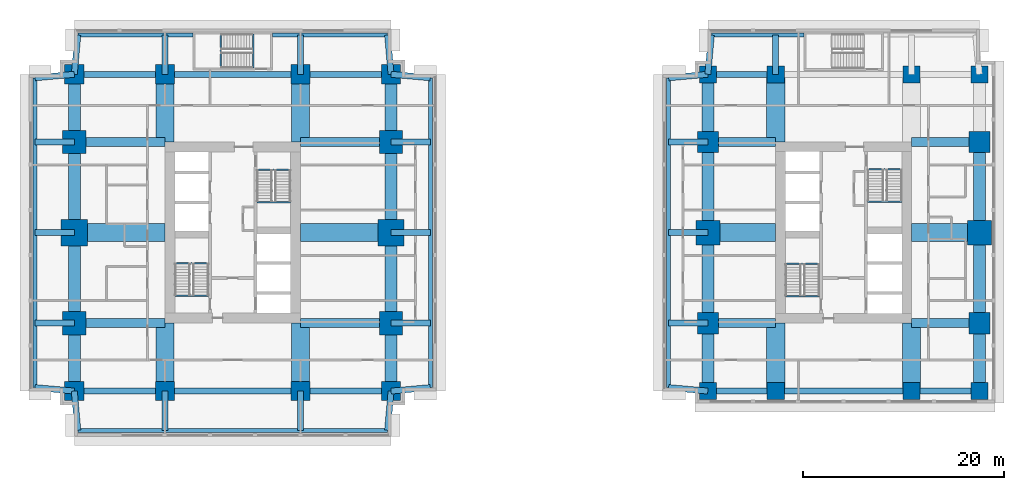
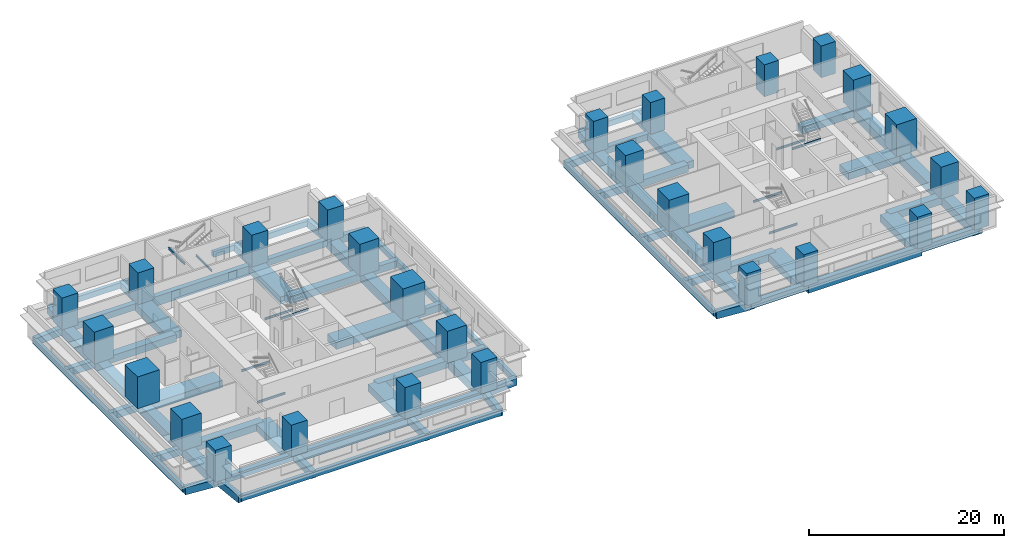
# One storey, part 1 of 11: 86 beams, 28 columns.
"""IFC4 building model written with IfcOpenShell, lengths in metres."""

import ifcopenshell
import ifcopenshell.guid

model = None  # the IFC model being written
_history = None  # IfcOwnerHistory: only IFC2X3 demands one
_inside = {}  # id of a spatial element -> (the spatial element, [elements in it])
_under = {}  # id of a project, library or spatial element -> (it, [spatial elements below it])
_declared = {}  # id of a project -> (the project, [libraries it declares])
_typed = {}  # id of a type object -> (the type object, [elements of that type])
_made_of = {}  # id of a material, layer set ... -> (it, [elements and type objects made of it])


def new_model(schema):
    """Start an empty IFC model of exactly this schema.

    Asked for "IFC4X3", IfcOpenShell would pick the latest addendum, in which some entities
    have other attributes; the version numbers below select the first issue.
    IFC2X3 requires an IfcOwnerHistory on every rooted entity: one is made here for all.
    """
    global model, _history
    if schema == "IFC4X3":
        model = ifcopenshell.file(schema_version=(4, 3, 0, 0))
    else:
        model = ifcopenshell.file(schema=schema)
    _inside.clear()
    _under.clear()
    _declared.clear()
    _typed.clear()
    _made_of.clear()
    _history = None
    if model.schema == "IFC2X3":
        org = make("IfcOrganization", Name="unknown")
        user = make(
            "IfcPersonAndOrganization",
            ThePerson=make("IfcPerson", FamilyName="unknown"),
            TheOrganization=org,
        )
        app = make(
            "IfcApplication",
            ApplicationDeveloper=org,
            Version="unknown",
            ApplicationFullName="unknown",
            ApplicationIdentifier="unknown",
        )
        _history = make(
            "IfcOwnerHistory",
            OwningUser=user,
            OwningApplication=app,
            ChangeAction="ADDED",
            CreationDate=0,
        )
    return model


def make(cls, **values):
    """One entity of the class cls with the attributes given. An attribute that is None is left unset."""
    return model.create_entity(
        cls, **{name: value for name, value in values.items() if value is not None}
    )


def rooted(cls, **values):
    """An entity with a GlobalId (a new one), such as an element, a storey or a relation."""
    return make(cls, GlobalId=ifcopenshell.guid.new(), OwnerHistory=_history, **values)


def si_unit(unit_type, name, prefix=None):
    """IfcSIUnit, for example si_unit("LENGTHUNIT", "METRE", prefix="MILLI")."""
    return make("IfcSIUnit", UnitType=unit_type, Prefix=prefix, Name=name)


def assignment(units):
    """IfcUnitAssignment: the units of a project."""
    return None if units is None else make("IfcUnitAssignment", Units=units)


def point(xyz):
    """IfcCartesianPoint."""
    return None if xyz is None else make("IfcCartesianPoint", Coordinates=xyz)


def direction(xyz):
    """IfcDirection."""
    return None if xyz is None else make("IfcDirection", DirectionRatios=xyz)


def frame(location, z_axis=None, x_axis=None):
    """IfcAxis2Placement3D, a coordinate frame: its origin and axes. An axis left out is left unset."""
    return make(
        "IfcAxis2Placement3D",
        Location=point(location),
        Axis=direction(z_axis),
        RefDirection=direction(x_axis),
    )


def frame_2d(location, x_axis=None):
    """IfcAxis2Placement2D, a coordinate frame in the plane: its origin and x axis."""
    return make(
        "IfcAxis2Placement2D", Location=point(location), RefDirection=direction(x_axis)
    )


def origin():
    """The frame at (0, 0, 0) with its axes left unset."""
    return frame((0.0, 0.0, 0.0))


def origin_2d():
    """The frame at (0, 0) in the plane with its x axis left unset."""
    return frame_2d((0.0, 0.0))


def place(relative_to, where):
    """IfcLocalPlacement: puts the frame where relative to a parent placement (None: the world)."""
    return make(
        "IfcLocalPlacement", PlacementRelTo=relative_to, RelativePlacement=where
    )


def context(
    kind, dimensions, precision=None, world=None, true_north=None, identifier=None
):
    """IfcGeometricRepresentationContext, for example the 3D "Model" context."""
    return make(
        "IfcGeometricRepresentationContext",
        ContextIdentifier=identifier,
        ContextType=kind,
        CoordinateSpaceDimension=dimensions,
        Precision=precision,
        WorldCoordinateSystem=world,
        TrueNorth=true_north,
    )


def subcontext(parent, identifier, kind, view, scale=None):
    """IfcGeometricRepresentationSubContext, for example "Body" below "Model"."""
    return make(
        "IfcGeometricRepresentationSubContext",
        ContextIdentifier=identifier,
        ContextType=kind,
        ParentContext=parent,
        TargetScale=scale,
        TargetView=view,
    )


def project(units=None, contexts=None):
    """IfcProject with its units and contexts."""
    return rooted(
        "IfcProject",
        Name="project",
        RepresentationContexts=contexts,
        UnitsInContext=assignment(units),
    )


def spatial(cls, under=None, at=None, **own):
    """A site, building, storey or space (cls), placed at a placement, below another one or the project."""
    s = rooted(cls, ObjectPlacement=at, **own)
    if under is not None:
        _under.setdefault(under.id(), (under, []))[1].append(s)
    return s


def profile(cls, at=None, kind="AREA", **sizes):
    """A parametric profile (cls). Its sizes go by their IFC names, for example OverallWidth=200.0."""
    return make(cls, ProfileType=kind, Position=at, **sizes)


def rectangle(**sizes):
    """IfcRectangleProfileDef."""
    return profile("IfcRectangleProfileDef", **sizes)


def i_section(**sizes):
    """IfcIShapeProfileDef."""
    return profile("IfcIShapeProfileDef", **sizes)


def extrude(swept, where, along, depth):
    """IfcExtrudedAreaSolid: the profile swept, set in the frame where, extruded along a direction by depth."""
    return make(
        "IfcExtrudedAreaSolid",
        SweptArea=swept,
        Position=where,
        ExtrudedDirection=direction(along),
        Depth=depth,
    )


def shape(context_of_items, identifier, shape_type, items):
    """IfcShapeRepresentation: the items that make up one representation, for example the "Body"."""
    return make(
        "IfcShapeRepresentation",
        ContextOfItems=context_of_items,
        RepresentationIdentifier=identifier,
        RepresentationType=shape_type,
        Items=items,
    )


def material(Name=None, Category=None):
    """IfcMaterial."""
    return make("IfcMaterial", Name=Name, Category=Category)


def material_profile(
    of_material, cross_section, Name=None, Category=None, Priority=None
):
    """IfcMaterialProfile: a cross section and its material."""
    return make(
        "IfcMaterialProfile",
        Name=Name,
        Material=of_material,
        Profile=cross_section,
        Priority=Priority,
        Category=Category,
    )


def profile_set(profiles, Name=None, composite=None):
    """IfcMaterialProfileSet."""
    return make(
        "IfcMaterialProfileSet",
        Name=Name,
        MaterialProfiles=profiles,
        CompositeProfile=composite,
    )


def made_of(thing, what):
    """Note that an element or type object is made of a material, layer set ...; save() writes the relation."""
    if what is not None:
        _made_of.setdefault(what.id(), (what, []))[1].append(thing)
    return thing


def type_object(cls, material=None, **own):
    """A type object (cls), such as IfcWallType, which elements share."""
    return made_of(rooted(cls, **own), material)


def element(
    cls,
    number,
    at=None,
    inside=None,
    cuts=None,
    type_object=None,
    material=None,
    context=None,
    identifier="Body",
    shape_type=None,
    held_by="IfcProductDefinitionShape",
    body=None,
    shapes=None,
    **own,
):
    """One element of the class cls, such as IfcWall. Its Tag is "e" and its number.

    at: its placement. inside: the storey or other place that contains it. cuts: it is an
    opening in that element (IfcRelVoidsElement). A single representation is given by context,
    identifier, shape_type and body (its items); several are given by shapes. held_by: the class
    of the entity that holds the representations. save() writes the other relations.
    """
    e = rooted(cls, Tag="e%d" % number, ObjectPlacement=at, **own)
    if body is not None:
        shapes = [shape(context, identifier, shape_type, body)]
    if shapes is not None:
        e.Representation = make(held_by, Representations=shapes)
    if inside is not None:
        _inside.setdefault(inside.id(), (inside, []))[1].append(e)
    if cuts is not None:
        rooted(
            "IfcRelVoidsElement", RelatingBuildingElement=cuts, RelatedOpeningElement=e
        )
    if type_object is not None:
        _typed.setdefault(type_object.id(), (type_object, []))[1].append(e)
    return made_of(e, material)


def aggregate(whole, parts):
    """IfcRelAggregates: a whole, such as a stair, and the parts it consists of."""
    return rooted("IfcRelAggregates", RelatingObject=whole, RelatedObjects=parts)


def save(model, path):
    """Write the relations noted so far, then the file.

    IfcRelAggregates (storeys below a building ...), IfcRelContainedInSpatialStructure (elements
    in a storey), IfcRelDefinesByType, IfcRelAssociatesMaterial and IfcRelDeclares: one each for
    every whole, place, type object, material and project.
    """
    for whole, parts in _under.values():
        aggregate(whole, parts)
    for where, things in _inside.values():
        rooted(
            "IfcRelContainedInSpatialStructure",
            RelatedElements=things,
            RelatingStructure=where,
        )
    for kind, things in _typed.values():
        rooted("IfcRelDefinesByType", RelatedObjects=things, RelatingType=kind)
    for what, things in _made_of.values():
        rooted("IfcRelAssociatesMaterial", RelatedObjects=things, RelatingMaterial=what)
    for by, libraries in _declared.values():
        rooted("IfcRelDeclares", RelatingContext=by, RelatedDefinitions=libraries)
    model.write(path)


model = new_model("IFC4")

# Units and contexts
model_context = context("Model", 3, precision=1e-05, world=origin(), true_north=direction((0.0, 1.0)))
body_context = subcontext(model_context, "Body", "Model", "MODEL_VIEW")
ifc_project = project(units=[si_unit("LENGTHUNIT", "METRE"), si_unit("AREAUNIT", "SQUARE_METRE"), si_unit("VOLUMEUNIT", "CUBIC_METRE"), si_unit("PLANEANGLEUNIT", "RADIAN"), si_unit("MASSUNIT", "GRAM", prefix="KILO")], contexts=[model_context])

# Site, building, storey
site_placement = place(None, origin())
site = spatial("IfcSite", under=ifc_project, at=site_placement, CompositionType="ELEMENT")
building_placement = place(site_placement, origin())
building = spatial("IfcBuilding", under=site, at=building_placement, Name="Namib Vertical Campus", CompositionType="ELEMENT")
storey_placement = place(building_placement, frame((0.0, 0.0, 89.0)))
storey = spatial("IfcBuildingStorey", under=building, at=storey_placement, Name="L20", CompositionType="ELEMENT", Elevation=89.0)

# Columns
ifc_material_1 = material(Name="Concrete C60/75", Category="concrete")
ifc_material_profile_1 = material_profile(ifc_material_1, rectangle(XDim=1.699951171875, YDim=1.699951171875, at=origin_2d()))
ifc_profile_set_1 = profile_set([ifc_material_profile_1], Name="Concrete C60/75")
column_type_1 = type_object("IfcColumnType", Name="Column RC 1700x1700", PredefinedType="COLUMN", material=ifc_profile_set_1)
for number, where, z_axis, x_axis, name in (
    (1, (67.5, 4.5, 0.0), (0.0, 0.0, 1.0), (1.0, 0.0, 0.0), "Column C170 L20"),
    (2, (74.25, 4.5, 0.0), (0.0, 0.0, 1.0), (1.0, 0.0, 0.0), "Column C170 L20"),
    (3, (87.75, 4.5, 0.0), (0.0, 0.0, 1.0), (1.0, 0.0, 0.0), "Column C170 L20"),
    (4, (94.5, 4.5, 0.0), (0.0, 0.0, 1.0), (1.0, 0.0, 0.0), "Column C170 L20"),
    (5, (67.5, 36.0, 0.0), (0.0, 0.0, 1.0), (1.0, 0.0, 0.0), "Column C170 L20"),
    (6, (74.25, 36.0, 0.0), (0.0, 0.0, 1.0), (1.0, 0.0, 0.0), "Column C170 L20"),
    (7, (87.75, 36.0, 0.0), (0.0, 0.0, 1.0), (1.0, 0.0, 0.0), "Column C170 L20"),
    (8, (94.5, 36.0, 0.0), (0.0, 0.0, 1.0), (1.0, 0.0, 0.0), "Column C170 L20"),
):
    element("IfcColumn", number, at=place(storey_placement, frame(where, z_axis=z_axis, x_axis=x_axis)), inside=storey, type_object=column_type_1, Name=name, PredefinedType="COLUMN", context=body_context, shape_type="SweptSolid", body=[
        extrude(rectangle(XDim=1.699951171875, YDim=1.699951171875, at=origin_2d()), origin(), (0.0, 0.0, 1.0), 4.0),
    ])
ifc_material_2 = material(Name="Concrete C60/75", Category="concrete")
ifc_material_profile_2 = material_profile(ifc_material_2, rectangle(XDim=1.89990234375, YDim=1.89990234375, at=origin_2d()))
ifc_profile_set_2 = profile_set([ifc_material_profile_2], Name="Concrete C60/75")
column_type_2 = type_object("IfcColumnType", Name="Column RC 1900x1900", PredefinedType="COLUMN", material=ifc_profile_set_2)
for number, where, z_axis, x_axis, name in (
    (9, (4.5, 4.5, 0.0), (0.0, 0.0, 1.0), (1.0, 0.0, 0.0), "Column C190 L20"),
    (10, (13.5, 4.5, 0.0), (0.0, 0.0, 1.0), (1.0, 0.0, 0.0), "Column C190 L20"),
    (11, (27.0, 4.5, 0.0), (0.0, 0.0, 1.0), (1.0, 0.0, 0.0), "Column C190 L20"),
    (12, (36.0, 4.5, 0.0), (0.0, 0.0, 1.0), (1.0, 0.0, 0.0), "Column C190 L20"),
    (13, (4.5, 36.0, 0.0), (0.0, 0.0, 1.0), (1.0, 0.0, 0.0), "Column C190 L20"),
    (14, (13.5, 36.0, 0.0), (0.0, 0.0, 1.0), (1.0, 0.0, 0.0), "Column C190 L20"),
    (15, (27.0, 36.0, 0.0), (0.0, 0.0, 1.0), (1.0, 0.0, 0.0), "Column C190 L20"),
    (16, (36.0, 36.0, 0.0), (0.0, 0.0, 1.0), (1.0, 0.0, 0.0), "Column C190 L20"),
):
    element("IfcColumn", number, at=place(storey_placement, frame(where, z_axis=z_axis, x_axis=x_axis)), inside=storey, type_object=column_type_2, Name=name, PredefinedType="COLUMN", context=body_context, shape_type="SweptSolid", body=[
        extrude(rectangle(XDim=1.89990234375, YDim=1.89990234375, at=origin_2d()), origin(), (0.0, 0.0, 1.0), 4.0),
    ])
ifc_material_3 = material(Name="Concrete C60/75", Category="concrete")
ifc_material_profile_3 = material_profile(ifc_material_3, rectangle(XDim=2.10009765625, YDim=2.10009765625, at=origin_2d()))
ifc_profile_set_3 = profile_set([ifc_material_profile_3], Name="Concrete C60/75")
column_type_3 = type_object("IfcColumnType", Name="Column RC 2100x2100", PredefinedType="COLUMN", material=ifc_profile_set_3)
for number, where, z_axis, x_axis, name in (
    (17, (67.5, 11.25, 0.0), (0.0, 0.0, 1.0), (1.0, 0.0, 0.0), "Column C210 L20"),
    (18, (94.5, 11.25, 0.0), (0.0, 0.0, 1.0), (1.0, 0.0, 0.0), "Column C210 L20"),
    (19, (67.5, 29.25, 0.0), (0.0, 0.0, 1.0), (1.0, 0.0, 0.0), "Column C210 L20"),
    (20, (94.5, 29.25, 0.0), (0.0, 0.0, 1.0), (1.0, 0.0, 0.0), "Column C210 L20"),
):
    element("IfcColumn", number, at=place(storey_placement, frame(where, z_axis=z_axis, x_axis=x_axis)), inside=storey, type_object=column_type_3, Name=name, PredefinedType="COLUMN", context=body_context, shape_type="SweptSolid", body=[
        extrude(rectangle(XDim=2.10009765625, YDim=2.10009765625, at=origin_2d()), origin(), (0.0, 0.0, 1.0), 4.0),
    ])
ifc_material_4 = material(Name="Concrete C60/75", Category="concrete")
ifc_material_profile_4 = material_profile(ifc_material_4, rectangle(XDim=2.300048828125, YDim=2.300048828125, at=origin_2d()))
ifc_profile_set_4 = profile_set([ifc_material_profile_4], Name="Concrete C60/75")
column_type_4 = type_object("IfcColumnType", Name="Column RC 2300x2300", PredefinedType="COLUMN", material=ifc_profile_set_4)
for number, where, z_axis, x_axis, name in (
    (21, (4.5, 11.25, 0.0), (0.0, 0.0, 1.0), (1.0, 0.0, 0.0), "Column C230 L20"),
    (22, (36.0, 11.25, 0.0), (0.0, 0.0, 1.0), (1.0, 0.0, 0.0), "Column C230 L20"),
    (23, (4.5, 29.25, 0.0), (0.0, 0.0, 1.0), (1.0, 0.0, 0.0), "Column C230 L20"),
    (24, (36.0, 29.25, 0.0), (0.0, 0.0, 1.0), (1.0, 0.0, 0.0), "Column C230 L20"),
):
    element("IfcColumn", number, at=place(storey_placement, frame(where, z_axis=z_axis, x_axis=x_axis)), inside=storey, type_object=column_type_4, Name=name, PredefinedType="COLUMN", context=body_context, shape_type="SweptSolid", body=[
        extrude(rectangle(XDim=2.300048828125, YDim=2.300048828125, at=origin_2d()), origin(), (0.0, 0.0, 1.0), 4.0),
    ])
ifc_material_5 = material(Name="Concrete C60/75", Category="concrete")
ifc_material_profile_5 = material_profile(ifc_material_5, rectangle(XDim=2.39990234375, YDim=2.39990234375, at=origin_2d()))
ifc_profile_set_5 = profile_set([ifc_material_profile_5], Name="Concrete C60/75")
column_type_5 = type_object("IfcColumnType", Name="Column RC 2400x2400", PredefinedType="COLUMN", material=ifc_profile_set_5)
for number, where, z_axis, x_axis, name in (
    (25, (67.5, 20.25, 0.0), (0.0, 0.0, 1.0), (1.0, 0.0, 0.0), "Column C240 L20"),
    (26, (94.5, 20.25, 0.0), (0.0, 0.0, 1.0), (1.0, 0.0, 0.0), "Column C240 L20"),
):
    element("IfcColumn", number, at=place(storey_placement, frame(where, z_axis=z_axis, x_axis=x_axis)), inside=storey, type_object=column_type_5, Name=name, PredefinedType="COLUMN", context=body_context, shape_type="SweptSolid", body=[
        extrude(rectangle(XDim=2.39990234375, YDim=2.39990234375, at=origin_2d()), origin(), (0.0, 0.0, 1.0), 4.0),
    ])
ifc_material_6 = material(Name="Concrete C60/75", Category="concrete")
ifc_material_profile_6 = material_profile(ifc_material_6, rectangle(XDim=2.60009765625, YDim=2.60009765625, at=origin_2d()))
ifc_profile_set_6 = profile_set([ifc_material_profile_6], Name="Concrete C60/75")
column_type_6 = type_object("IfcColumnType", Name="Column RC 2600x2600", PredefinedType="COLUMN", material=ifc_profile_set_6)
for number, where, z_axis, x_axis, name in (
    (27, (4.5, 20.25, 0.0), (0.0, 0.0, 1.0), (1.0, 0.0, 0.0), "Column C260 L20"),
    (28, (36.0, 20.25, 0.0), (0.0, 0.0, 1.0), (1.0, 0.0, 0.0), "Column C260 L20"),
):
    element("IfcColumn", number, at=place(storey_placement, frame(where, z_axis=z_axis, x_axis=x_axis)), inside=storey, type_object=column_type_6, Name=name, PredefinedType="COLUMN", context=body_context, shape_type="SweptSolid", body=[
        extrude(rectangle(XDim=2.60009765625, YDim=2.60009765625, at=origin_2d()), origin(), (0.0, 0.0, 1.0), 4.0),
    ])

# Beams
ifc_material_7 = material(Name="Concrete C40/50", Category="concrete")
ifc_material_profile_7 = material_profile(ifc_material_7, rectangle(XDim=0.60009765625, YDim=0.89990234375, at=origin_2d()))
ifc_profile_set_7 = profile_set([ifc_material_profile_7], Name="Concrete C40/50")
beam_type_1 = type_object("IfcBeamType", Name="Cantilever girder RC 600x900", PredefinedType="BEAM", material=ifc_profile_set_7)
beam_1_placement = place(storey_placement, frame((4.5, 4.5, -0.699951171875), z_axis=(0.089411326146, -0.995994786511, 0.0), x_axis=(0.995994786511, 0.089411326146, 0.0)))
element("IfcBeam", 29, at=beam_1_placement, inside=storey, type_object=beam_type_1, Name="Beam B3 L20", PredefinedType="BEAM", context=body_context, shape_type="SweptSolid", body=[
    extrude(rectangle(XDim=0.60009765625, YDim=0.89990234375, at=origin_2d()), origin(), (0.0, 0.0, 1.0), 3.91552734375),
])
for number, where, z_axis, x_axis, name in (
    (30, (13.5, 4.5, -0.699951171875), (0.0, -1.0, 0.0), (1.0, 0.0, 0.0), "Beam B3 L20"),
    (31, (27.0, 4.5, -0.699951171875), (0.0, -1.0, 0.0), (1.0, 0.0, 0.0), "Beam B3 L20"),
):
    element("IfcBeam", number, at=place(storey_placement, frame(where, z_axis=z_axis, x_axis=x_axis)), inside=storey, type_object=beam_type_1, Name=name, PredefinedType="BEAM", context=body_context, shape_type="SweptSolid", body=[
        extrude(rectangle(XDim=0.60009765625, YDim=0.89990234375, at=origin_2d()), origin(), (0.0, 0.0, 1.0), 3.89990234375),
    ])
for number, where, z_axis, x_axis, name in (
    (32, (36.0, 4.5, -0.699951171875), (-0.089411326146, -0.995994786511, 0.0), (0.995994786511, -0.089411326146, 0.0), "Beam B3 L20"),
    (33, (4.5, 36.0, -0.699951171875), (0.089411326146, 0.995994786511, 0.0), (-0.995994786511, 0.089411326146, 0.0), "Beam B3 L20"),
):
    element("IfcBeam", number, at=place(storey_placement, frame(where, z_axis=z_axis, x_axis=x_axis)), inside=storey, type_object=beam_type_1, Name=name, PredefinedType="BEAM", context=body_context, shape_type="SweptSolid", body=[
        extrude(rectangle(XDim=0.60009765625, YDim=0.89990234375, at=origin_2d()), origin(), (0.0, 0.0, 1.0), 3.91552734375),
    ])
for number, where, z_axis, x_axis, name in (
    (34, (13.5, 36.0, -0.699951171875), (0.0, 1.0, 0.0), (-1.0, 0.0, 0.0), "Beam B3 L20"),
    (35, (27.0, 36.0, -0.699951171875), (0.0, 1.0, 0.0), (-1.0, 0.0, 0.0), "Beam B3 L20"),
):
    element("IfcBeam", number, at=place(storey_placement, frame(where, z_axis=z_axis, x_axis=x_axis)), inside=storey, type_object=beam_type_1, Name=name, PredefinedType="BEAM", context=body_context, shape_type="SweptSolid", body=[
        extrude(rectangle(XDim=0.60009765625, YDim=0.89990234375, at=origin_2d()), origin(), (0.0, 0.0, 1.0), 3.89990234375),
    ])
for number, where, z_axis, x_axis, name in (
    (36, (36.0, 36.0, -0.699951171875), (-0.089411326146, 0.995994786511, 0.0), (-0.995994786511, -0.089411326146, 0.0), "Beam B3 L20"),
    (37, (4.5, 4.5, -0.699951171875), (-0.995994786511, 0.089411326146, 0.0), (-0.089411326146, -0.995994786511, 0.0), "Beam B3 L20"),
):
    element("IfcBeam", number, at=place(storey_placement, frame(where, z_axis=z_axis, x_axis=x_axis)), inside=storey, type_object=beam_type_1, Name=name, PredefinedType="BEAM", context=body_context, shape_type="SweptSolid", body=[
        extrude(rectangle(XDim=0.60009765625, YDim=0.89990234375, at=origin_2d()), origin(), (0.0, 0.0, 1.0), 3.91552734375),
    ])
for number, where, z_axis, x_axis, name in (
    (38, (4.5, 11.25, -0.699951171875), (-1.0, 0.0, 0.0), (0.0, -1.0, 0.0), "Beam B3 L20"),
    (39, (4.5, 20.25, -0.699951171875), (-1.0, 0.0, 0.0), (0.0, -1.0, 0.0), "Beam B3 L20"),
    (40, (4.5, 29.25, -0.699951171875), (-1.0, 0.0, 0.0), (0.0, -1.0, 0.0), "Beam B3 L20"),
):
    element("IfcBeam", number, at=place(storey_placement, frame(where, z_axis=z_axis, x_axis=x_axis)), inside=storey, type_object=beam_type_1, Name=name, PredefinedType="BEAM", context=body_context, shape_type="SweptSolid", body=[
        extrude(rectangle(XDim=0.60009765625, YDim=0.89990234375, at=origin_2d()), origin(), (0.0, 0.0, 1.0), 3.89990234375),
    ])
for number, where, z_axis, x_axis, name in (
    (41, (4.5, 36.0, -0.699951171875), (-0.995994786511, -0.089411326146, 0.0), (0.089411326146, -0.995994786511, 0.0), "Beam B3 L20"),
    (42, (36.0, 4.5, -0.699951171875), (0.995994786511, 0.089411326146, 0.0), (-0.089411326146, 0.995994786511, 0.0), "Beam B3 L20"),
):
    element("IfcBeam", number, at=place(storey_placement, frame(where, z_axis=z_axis, x_axis=x_axis)), inside=storey, type_object=beam_type_1, Name=name, PredefinedType="BEAM", context=body_context, shape_type="SweptSolid", body=[
        extrude(rectangle(XDim=0.60009765625, YDim=0.89990234375, at=origin_2d()), origin(), (0.0, 0.0, 1.0), 3.91552734375),
    ])
for number, where, z_axis, x_axis, name in (
    (43, (36.0, 11.25, -0.699951171875), (1.0, 0.0, 0.0), (0.0, 1.0, 0.0), "Beam B3 L20"),
    (44, (36.0, 20.25, -0.699951171875), (1.0, 0.0, 0.0), (0.0, 1.0, 0.0), "Beam B3 L20"),
    (45, (36.0, 29.25, -0.699951171875), (1.0, 0.0, 0.0), (0.0, 1.0, 0.0), "Beam B3 L20"),
):
    element("IfcBeam", number, at=place(storey_placement, frame(where, z_axis=z_axis, x_axis=x_axis)), inside=storey, type_object=beam_type_1, Name=name, PredefinedType="BEAM", context=body_context, shape_type="SweptSolid", body=[
        extrude(rectangle(XDim=0.60009765625, YDim=0.89990234375, at=origin_2d()), origin(), (0.0, 0.0, 1.0), 3.89990234375),
    ])
for number, where, z_axis, x_axis, name in (
    (46, (36.0, 36.0, -0.699951171875), (0.995994786511, -0.089411326146, 0.0), (0.089411326146, 0.995994786511, 0.0), "Beam B3 L20"),
    (47, (67.5, 36.0, -0.699951171875), (0.089411326146, 0.995994786511, 0.0), (-0.995994786511, 0.089411326146, 0.0), "Beam B3 L20"),
):
    element("IfcBeam", number, at=place(storey_placement, frame(where, z_axis=z_axis, x_axis=x_axis)), inside=storey, type_object=beam_type_1, Name=name, PredefinedType="BEAM", context=body_context, shape_type="SweptSolid", body=[
        extrude(rectangle(XDim=0.60009765625, YDim=0.89990234375, at=origin_2d()), origin(), (0.0, 0.0, 1.0), 3.91552734375),
    ])
beam_2_placement = place(storey_placement, frame((74.25, 36.0, -0.699951171875), z_axis=(0.0, 1.0, 0.0), x_axis=(-1.0, 0.0, 0.0)))
element("IfcBeam", 48, at=beam_2_placement, inside=storey, type_object=beam_type_1, Name="Beam B3 L20", PredefinedType="BEAM", context=body_context, shape_type="SweptSolid", body=[
    extrude(rectangle(XDim=0.60009765625, YDim=0.89990234375, at=origin_2d()), origin(), (0.0, 0.0, 1.0), 3.89990234375),
])
beam_3_placement = place(storey_placement, frame((67.5, 4.5, -0.699951171875), z_axis=(-0.995994786511, 0.089411326146, 0.0), x_axis=(-0.089411326146, -0.995994786511, 0.0)))
element("IfcBeam", 49, at=beam_3_placement, inside=storey, type_object=beam_type_1, Name="Beam B3 L20", PredefinedType="BEAM", context=body_context, shape_type="SweptSolid", body=[
    extrude(rectangle(XDim=0.60009765625, YDim=0.89990234375, at=origin_2d()), origin(), (0.0, 0.0, 1.0), 3.91552734375),
])
for number, where, z_axis, x_axis, name in (
    (50, (67.5, 11.25, -0.699951171875), (-1.0, 0.0, 0.0), (0.0, -1.0, 0.0), "Beam B3 L20"),
    (51, (67.5, 20.25, -0.699951171875), (-1.0, 0.0, 0.0), (0.0, -1.0, 0.0), "Beam B3 L20"),
    (52, (67.5, 29.25, -0.699951171875), (-1.0, 0.0, 0.0), (0.0, -1.0, 0.0), "Beam B3 L20"),
):
    element("IfcBeam", number, at=place(storey_placement, frame(where, z_axis=z_axis, x_axis=x_axis)), inside=storey, type_object=beam_type_1, Name=name, PredefinedType="BEAM", context=body_context, shape_type="SweptSolid", body=[
        extrude(rectangle(XDim=0.60009765625, YDim=0.89990234375, at=origin_2d()), origin(), (0.0, 0.0, 1.0), 3.89990234375),
    ])
beam_4_placement = place(storey_placement, frame((67.5, 36.0, -0.699951171875), z_axis=(-0.995994786511, -0.089411326146, 0.0), x_axis=(0.089411326146, -0.995994786511, 0.0)))
element("IfcBeam", 53, at=beam_4_placement, inside=storey, type_object=beam_type_1, Name="Beam B3 L20", PredefinedType="BEAM", context=body_context, shape_type="SweptSolid", body=[
    extrude(rectangle(XDim=0.60009765625, YDim=0.89990234375, at=origin_2d()), origin(), (0.0, 0.0, 1.0), 3.91552734375),
])
ifc_material_8 = material(Name="Concrete C40/50", Category="concrete")
ifc_material_profile_8 = material_profile(ifc_material_8, rectangle(XDim=0.39990234375, YDim=0.699951171875, at=origin_2d()))
ifc_profile_set_8 = profile_set([ifc_material_profile_8], Name="Concrete C40/50")
beam_type_2 = type_object("IfcBeamType", Name="Edge beam RC 400x700", PredefinedType="SPANDREL", material=ifc_profile_set_8)
beam_5_placement = place(storey_placement, frame((4.85009765625, 0.60009765625, -0.60009765625), z_axis=(1.0, 0.0, 0.0), x_axis=(0.0, 1.0, 0.0)))
element("IfcBeam", 54, at=beam_5_placement, inside=storey, type_object=beam_type_2, Name="Beam B4 L20", PredefinedType="SPANDREL", context=body_context, shape_type="SweptSolid", body=[
    extrude(rectangle(XDim=0.39990234375, YDim=0.699951171875, at=origin_2d()), origin(), (0.0, 0.0, 1.0), 30.7998046875),
])
for number, where, z_axis, x_axis, name in (
    (55, (4.85009765625, 39.89990234375, -0.60009765625), (1.0, 0.0, 0.0), (0.0, 1.0, 0.0), "Beam B4 L20"),
    (56, (24.199951171875, 39.89990234375, -0.60009765625), (1.0, 0.0, 0.0), (0.0, 1.0, 0.0), "Beam B4 L20"),
):
    element("IfcBeam", number, at=place(storey_placement, frame(where, z_axis=z_axis, x_axis=x_axis)), inside=storey, type_object=beam_type_2, Name=name, PredefinedType="SPANDREL", context=body_context, shape_type="SweptSolid", body=[
        extrude(rectangle(XDim=0.39990234375, YDim=0.699951171875, at=origin_2d()), origin(), (0.0, 0.0, 1.0), 11.449951171875),
    ])
for number, where, z_axis, x_axis, name in (
    (57, (0.60009765625, 4.85009765625, -0.60009765625), (0.0, 1.0, 0.0), (-1.0, 0.0, 0.0), "Beam B4 L20"),
    (58, (39.89990234375, 4.85009765625, -0.60009765625), (0.0, 1.0, 0.0), (-1.0, 0.0, 0.0), "Beam B4 L20"),
):
    element("IfcBeam", number, at=place(storey_placement, frame(where, z_axis=z_axis, x_axis=x_axis)), inside=storey, type_object=beam_type_2, Name=name, PredefinedType="SPANDREL", context=body_context, shape_type="SweptSolid", body=[
        extrude(rectangle(XDim=0.39990234375, YDim=0.699951171875, at=origin_2d()), origin(), (0.0, 0.0, 1.0), 30.7998046875),
    ])
beam_6_placement = place(storey_placement, frame((67.85009765625, 39.89990234375, -0.60009765625), z_axis=(1.0, 0.0, 0.0), x_axis=(0.0, 1.0, 0.0)))
element("IfcBeam", 59, at=beam_6_placement, inside=storey, type_object=beam_type_2, Name="Beam B4 L20", PredefinedType="SPANDREL", context=body_context, shape_type="SweptSolid", body=[
    extrude(rectangle(XDim=0.39990234375, YDim=0.699951171875, at=origin_2d()), origin(), (0.0, 0.0, 1.0), 9.199951171875),
])
beam_7_placement = place(storey_placement, frame((63.60009765625, 4.85009765625, -0.60009765625), z_axis=(0.0, 1.0, 0.0), x_axis=(-1.0, 0.0, 0.0)))
element("IfcBeam", 60, at=beam_7_placement, inside=storey, type_object=beam_type_2, Name="Beam B4 L20", PredefinedType="SPANDREL", context=body_context, shape_type="SweptSolid", body=[
    extrude(rectangle(XDim=0.39990234375, YDim=0.699951171875, at=origin_2d()), origin(), (0.0, 0.0, 1.0), 30.7998046875),
])
ifc_material_9 = material(Name="Concrete C40/50", Category="concrete")
ifc_material_profile_9 = material_profile(ifc_material_9, rectangle(XDim=0.89990234375, YDim=0.89990234375, at=origin_2d()))
ifc_profile_set_9 = profile_set([ifc_material_profile_9], Name="Concrete C40/50")
beam_type_3 = type_object("IfcBeamType", Name="Face girder RC 900x900", PredefinedType="BEAM", material=ifc_profile_set_9)
for number, where, z_axis, x_axis, name in (
    (61, (4.5, 11.25, -0.699951171875), (1.0, 0.0, 0.0), (0.0, 1.0, 0.0), "Beam B10 L20"),
    (62, (36.0, 11.25, -0.699951171875), (-1.0, 0.0, 0.0), (0.0, -1.0, 0.0), "Beam B10 L20"),
    (63, (4.5, 29.25, -0.699951171875), (1.0, 0.0, 0.0), (0.0, 1.0, 0.0), "Beam B10 L20"),
    (64, (36.0, 29.25, -0.699951171875), (-1.0, 0.0, 0.0), (0.0, -1.0, 0.0), "Beam B10 L20"),
):
    element("IfcBeam", number, at=place(storey_placement, frame(where, z_axis=z_axis, x_axis=x_axis)), inside=storey, type_object=beam_type_3, Name=name, PredefinedType="BEAM", context=body_context, shape_type="SweptSolid", body=[
        extrude(rectangle(XDim=0.89990234375, YDim=0.89990234375, at=origin_2d()), origin(), (0.0, 0.0, 1.0), 9.0),
    ])
for number, where, z_axis, x_axis, name in (
    (65, (67.5, 11.25, -0.699951171875), (1.0, 0.0, 0.0), (0.0, 1.0, 0.0), "Beam B10 L20"),
    (66, (94.5, 11.25, -0.699951171875), (-1.0, 0.0, 0.0), (0.0, -1.0, 0.0), "Beam B10 L20"),
    (67, (67.5, 29.25, -0.699951171875), (1.0, 0.0, 0.0), (0.0, 1.0, 0.0), "Beam B10 L20"),
    (68, (94.5, 29.25, -0.699951171875), (-1.0, 0.0, 0.0), (0.0, -1.0, 0.0), "Beam B10 L20"),
):
    element("IfcBeam", number, at=place(storey_placement, frame(where, z_axis=z_axis, x_axis=x_axis)), inside=storey, type_object=beam_type_3, Name=name, PredefinedType="BEAM", context=body_context, shape_type="SweptSolid", body=[
        extrude(rectangle(XDim=0.89990234375, YDim=0.89990234375, at=origin_2d()), origin(), (0.0, 0.0, 1.0), 6.75),
    ])
ifc_material_10 = material(Name="Concrete C40/50", Category="concrete")
ifc_material_profile_10 = material_profile(ifc_material_10, rectangle(XDim=1.199951171875, YDim=1.10009765625, at=origin_2d()))
ifc_profile_set_10 = profile_set([ifc_material_profile_10], Name="Concrete C40/50")
beam_type_4 = type_object("IfcBeamType", Name="Face ring beam RC 1200x1100", PredefinedType="BEAM", material=ifc_profile_set_10)
beam_8_placement = place(storey_placement, frame((4.5, 4.5, -0.800048828125), z_axis=(0.0, 1.0, 0.0), x_axis=(-1.0, 0.0, 0.0)))
element("IfcBeam", 69, at=beam_8_placement, inside=storey, type_object=beam_type_4, Name="Beam B11 L20", PredefinedType="BEAM", context=body_context, shape_type="SweptSolid", body=[
    extrude(rectangle(XDim=1.199951171875, YDim=1.10009765625, at=origin_2d()), origin(), (0.0, 0.0, 1.0), 6.75),
])
for number, where, z_axis, x_axis, name in (
    (70, (4.5, 11.25, -0.800048828125), (0.0, 1.0, 0.0), (-1.0, 0.0, 0.0), "Beam B11 L20"),
    (71, (4.5, 20.25, -0.800048828125), (0.0, 1.0, 0.0), (-1.0, 0.0, 0.0), "Beam B11 L20"),
):
    element("IfcBeam", number, at=place(storey_placement, frame(where, z_axis=z_axis, x_axis=x_axis)), inside=storey, type_object=beam_type_4, Name=name, PredefinedType="BEAM", context=body_context, shape_type="SweptSolid", body=[
        extrude(rectangle(XDim=1.199951171875, YDim=1.10009765625, at=origin_2d()), origin(), (0.0, 0.0, 1.0), 9.0),
    ])
for number, where, z_axis, x_axis, name in (
    (72, (4.5, 29.25, -0.800048828125), (0.0, 1.0, 0.0), (-1.0, 0.0, 0.0), "Beam B11 L20"),
    (73, (36.0, 4.5, -0.800048828125), (0.0, 1.0, 0.0), (-1.0, 0.0, 0.0), "Beam B11 L20"),
):
    element("IfcBeam", number, at=place(storey_placement, frame(where, z_axis=z_axis, x_axis=x_axis)), inside=storey, type_object=beam_type_4, Name=name, PredefinedType="BEAM", context=body_context, shape_type="SweptSolid", body=[
        extrude(rectangle(XDim=1.199951171875, YDim=1.10009765625, at=origin_2d()), origin(), (0.0, 0.0, 1.0), 6.75),
    ])
for number, where, z_axis, x_axis, name in (
    (74, (36.0, 11.25, -0.800048828125), (0.0, 1.0, 0.0), (-1.0, 0.0, 0.0), "Beam B11 L20"),
    (75, (36.0, 20.25, -0.800048828125), (0.0, 1.0, 0.0), (-1.0, 0.0, 0.0), "Beam B11 L20"),
):
    element("IfcBeam", number, at=place(storey_placement, frame(where, z_axis=z_axis, x_axis=x_axis)), inside=storey, type_object=beam_type_4, Name=name, PredefinedType="BEAM", context=body_context, shape_type="SweptSolid", body=[
        extrude(rectangle(XDim=1.199951171875, YDim=1.10009765625, at=origin_2d()), origin(), (0.0, 0.0, 1.0), 9.0),
    ])
for number, where, z_axis, x_axis, name in (
    (76, (36.0, 29.25, -0.800048828125), (0.0, 1.0, 0.0), (-1.0, 0.0, 0.0), "Beam B11 L20"),
    (77, (67.5, 4.5, -0.800048828125), (0.0, 1.0, 0.0), (-1.0, 0.0, 0.0), "Beam B11 L20"),
):
    element("IfcBeam", number, at=place(storey_placement, frame(where, z_axis=z_axis, x_axis=x_axis)), inside=storey, type_object=beam_type_4, Name=name, PredefinedType="BEAM", context=body_context, shape_type="SweptSolid", body=[
        extrude(rectangle(XDim=1.199951171875, YDim=1.10009765625, at=origin_2d()), origin(), (0.0, 0.0, 1.0), 6.75),
    ])
for number, where, z_axis, x_axis, name in (
    (78, (67.5, 11.25, -0.800048828125), (0.0, 1.0, 0.0), (-1.0, 0.0, 0.0), "Beam B11 L20"),
    (79, (67.5, 20.25, -0.800048828125), (0.0, 1.0, 0.0), (-1.0, 0.0, 0.0), "Beam B11 L20"),
):
    element("IfcBeam", number, at=place(storey_placement, frame(where, z_axis=z_axis, x_axis=x_axis)), inside=storey, type_object=beam_type_4, Name=name, PredefinedType="BEAM", context=body_context, shape_type="SweptSolid", body=[
        extrude(rectangle(XDim=1.199951171875, YDim=1.10009765625, at=origin_2d()), origin(), (0.0, 0.0, 1.0), 9.0),
    ])
for number, where, z_axis, x_axis, name in (
    (80, (67.5, 29.25, -0.800048828125), (0.0, 1.0, 0.0), (-1.0, 0.0, 0.0), "Beam B11 L20"),
    (81, (94.5, 4.5, -0.800048828125), (0.0, 1.0, 0.0), (-1.0, 0.0, 0.0), "Beam B11 L20"),
):
    element("IfcBeam", number, at=place(storey_placement, frame(where, z_axis=z_axis, x_axis=x_axis)), inside=storey, type_object=beam_type_4, Name=name, PredefinedType="BEAM", context=body_context, shape_type="SweptSolid", body=[
        extrude(rectangle(XDim=1.199951171875, YDim=1.10009765625, at=origin_2d()), origin(), (0.0, 0.0, 1.0), 6.75),
    ])
for number, where, z_axis, x_axis, name in (
    (82, (94.5, 11.25, -0.800048828125), (0.0, 1.0, 0.0), (-1.0, 0.0, 0.0), "Beam B11 L20"),
    (83, (94.5, 20.25, -0.800048828125), (0.0, 1.0, 0.0), (-1.0, 0.0, 0.0), "Beam B11 L20"),
):
    element("IfcBeam", number, at=place(storey_placement, frame(where, z_axis=z_axis, x_axis=x_axis)), inside=storey, type_object=beam_type_4, Name=name, PredefinedType="BEAM", context=body_context, shape_type="SweptSolid", body=[
        extrude(rectangle(XDim=1.199951171875, YDim=1.10009765625, at=origin_2d()), origin(), (0.0, 0.0, 1.0), 9.0),
    ])
ifc_material_11 = material(Name="Steel S355JR", Category="steel")
ifc_material_profile_11 = material_profile(ifc_material_11, i_section(OverallWidth=0.14599609375, OverallDepth=0.25146484375, WebThickness=0.006103515625, FlangeThickness=0.008544921875, FilletRadius=0.007568359375, at=origin_2d()))
ifc_profile_set_11 = profile_set([ifc_material_profile_11], Name="Steel S355JR")
beam_type_5 = type_object("IfcBeamType", Name="Landing trimmer UB 254x146x31", PredefinedType="BEAM", material=ifc_profile_set_11)
for number, where, z_axis, x_axis, name in (
    (84, (14.5, 13.97705078125, -0.125732421875), (1.0, 0.0, 0.0), (0.0, 1.0, 0.0), "Landing trimmer LT1 A-S1 L20 1"),
    (85, (14.5, 17.203125, 1.874267578125), (1.0, 0.0, 0.0), (0.0, 1.0, 0.0), "Landing trimmer LT1 A-S1 L20 2"),
    (86, (22.64990234375, 26.52294921875, -0.125732421875), (1.0, 0.0, 0.0), (0.0, 1.0, 0.0), "Landing trimmer LT1 A-S2 L20 1"),
    (87, (22.64990234375, 23.296875, 1.874267578125), (1.0, 0.0, 0.0), (0.0, 1.0, 0.0), "Landing trimmer LT1 A-S2 L20 2"),
):
    element("IfcBeam", number, at=place(storey_placement, frame(where, z_axis=z_axis, x_axis=x_axis)), inside=storey, type_object=beam_type_5, Name=name, PredefinedType="BEAM", context=body_context, shape_type="SweptSolid", body=[
        extrude(i_section(OverallWidth=0.14599609375, OverallDepth=0.25146484375, WebThickness=0.006103515625, FlangeThickness=0.008544921875, FilletRadius=0.007568359375, at=origin_2d()), origin(), (0.0, 0.0, 1.0), 3.35009765625),
    ])
for number, where, z_axis, x_axis, name in (
    (88, (75.199951171875, 13.927001953125, -0.125732421875), (1.0, 0.0, 0.0), (0.0, 1.0, 0.0), "Landing trimmer LT1 B-S1 L20 1"),
    (89, (75.199951171875, 17.153076171875, 1.874267578125), (1.0, 0.0, 0.0), (0.0, 1.0, 0.0), "Landing trimmer LT1 B-S1 L20 2"),
    (90, (83.39990234375, 26.572998046875, -0.125732421875), (1.0, 0.0, 0.0), (0.0, 1.0, 0.0), "Landing trimmer LT1 B-S2 L20 1"),
    (91, (83.39990234375, 23.346923828125, 1.874267578125), (1.0, 0.0, 0.0), (0.0, 1.0, 0.0), "Landing trimmer LT1 B-S2 L20 2"),
):
    element("IfcBeam", number, at=place(storey_placement, frame(where, z_axis=z_axis, x_axis=x_axis)), inside=storey, type_object=beam_type_5, Name=name, PredefinedType="BEAM", context=body_context, shape_type="SweptSolid", body=[
        extrude(i_section(OverallWidth=0.14599609375, OverallDepth=0.25146484375, WebThickness=0.006103515625, FlangeThickness=0.008544921875, FilletRadius=0.007568359375, at=origin_2d()), origin(), (0.0, 0.0, 1.0), 3.400146484375),
    ])
for number, where, z_axis, x_axis, name in (
    (92, (22.27294921875, 36.64990234375, -0.125732421875), (0.0, 1.0, 0.0), (-1.0, 0.0, 0.0), "Landing trimmer LT1 A-S3 L20 1"),
    (93, (19.046875, 36.64990234375, 1.874267578125), (0.0, 1.0, 0.0), (-1.0, 0.0, 0.0), "Landing trimmer LT1 A-S3 L20 2"),
):
    element("IfcBeam", number, at=place(storey_placement, frame(where, z_axis=z_axis, x_axis=x_axis)), inside=storey, type_object=beam_type_5, Name=name, PredefinedType="BEAM", context=body_context, shape_type="SweptSolid", body=[
        extrude(i_section(OverallWidth=0.14599609375, OverallDepth=0.25146484375, WebThickness=0.006103515625, FlangeThickness=0.008544921875, FilletRadius=0.007568359375, at=origin_2d()), origin(), (0.0, 0.0, 1.0), 3.35009765625),
    ])
ifc_material_12 = material(Name="Concrete C40/50", Category="concrete")
ifc_material_profile_12 = material_profile(ifc_material_12, rectangle(XDim=0.60009765625, YDim=1.199951171875, at=origin_2d()))
ifc_profile_set_12 = profile_set([ifc_material_profile_12], Name="Concrete C40/50")
beam_type_6 = type_object("IfcBeamType", Name="Long-span ring beam RC 600x1200", PredefinedType="BEAM", material=ifc_profile_set_12)
for number, where, z_axis, x_axis, name in (
    (94, (13.5, 4.5, -0.85009765625), (1.0, 0.0, 0.0), (0.0, 1.0, 0.0), "Beam B9 L20"),
    (95, (13.5, 36.0, -0.85009765625), (1.0, 0.0, 0.0), (0.0, 1.0, 0.0), "Beam B9 L20"),
    (96, (74.25, 4.5, -0.85009765625), (1.0, 0.0, 0.0), (0.0, 1.0, 0.0), "Beam B9 L20"),
):
    element("IfcBeam", number, at=place(storey_placement, frame(where, z_axis=z_axis, x_axis=x_axis)), inside=storey, type_object=beam_type_6, Name=name, PredefinedType="BEAM", context=body_context, shape_type="SweptSolid", body=[
        extrude(rectangle(XDim=0.60009765625, YDim=1.199951171875, at=origin_2d()), origin(), (0.0, 0.0, 1.0), 13.5),
    ])
ifc_material_13 = material(Name="Concrete C40/50", Category="concrete")
ifc_material_profile_13 = material_profile(ifc_material_13, rectangle(XDim=1.800048828125, YDim=0.89990234375, at=origin_2d()))
ifc_profile_set_13 = profile_set([ifc_material_profile_13], Name="Concrete C40/50")
beam_type_7 = type_object("IfcBeamType", Name="Outrigger line girder RC 1800x900", PredefinedType="BEAM", material=ifc_profile_set_13)
for number, where, z_axis, x_axis, name in (
    (97, (13.5, 4.5, -0.699951171875), (0.0, 1.0, 0.0), (-1.0, 0.0, 0.0), "Beam B12 L20"),
    (98, (13.5, 36.0, -0.699951171875), (0.0, -1.0, 0.0), (1.0, 0.0, 0.0), "Beam B12 L20"),
    (99, (27.0, 4.5, -0.699951171875), (0.0, 1.0, 0.0), (-1.0, 0.0, 0.0), "Beam B12 L20"),
    (100, (27.0, 36.0, -0.699951171875), (0.0, -1.0, 0.0), (1.0, 0.0, 0.0), "Beam B12 L20"),
):
    element("IfcBeam", number, at=place(storey_placement, frame(where, z_axis=z_axis, x_axis=x_axis)), inside=storey, type_object=beam_type_7, Name=name, PredefinedType="BEAM", context=body_context, shape_type="SweptSolid", body=[
        extrude(rectangle(XDim=1.800048828125, YDim=0.89990234375, at=origin_2d()), origin(), (0.0, 0.0, 1.0), 6.75),
    ])
for number, where, z_axis, x_axis, name in (
    (101, (4.5, 20.25, -0.699951171875), (1.0, 0.0, 0.0), (0.0, 1.0, 0.0), "Beam B12 L20"),
    (102, (36.0, 20.25, -0.699951171875), (-1.0, 0.0, 0.0), (0.0, -1.0, 0.0), "Beam B12 L20"),
):
    element("IfcBeam", number, at=place(storey_placement, frame(where, z_axis=z_axis, x_axis=x_axis)), inside=storey, type_object=beam_type_7, Name=name, PredefinedType="BEAM", context=body_context, shape_type="SweptSolid", body=[
        extrude(rectangle(XDim=1.800048828125, YDim=0.89990234375, at=origin_2d()), origin(), (0.0, 0.0, 1.0), 9.0),
    ])
for number, where, z_axis, x_axis, name in (
    (103, (74.25, 4.5, -0.699951171875), (0.0, 1.0, 0.0), (-1.0, 0.0, 0.0), "Beam B12 L20"),
    (104, (74.25, 36.0, -0.699951171875), (0.0, -1.0, 0.0), (1.0, 0.0, 0.0), "Beam B12 L20"),
    (105, (87.75, 4.5, -0.699951171875), (0.0, 1.0, 0.0), (-1.0, 0.0, 0.0), "Beam B12 L20"),
    (106, (67.5, 20.25, -0.699951171875), (1.0, 0.0, 0.0), (0.0, 1.0, 0.0), "Beam B12 L20"),
    (107, (94.5, 20.25, -0.699951171875), (-1.0, 0.0, 0.0), (0.0, -1.0, 0.0), "Beam B12 L20"),
):
    element("IfcBeam", number, at=place(storey_placement, frame(where, z_axis=z_axis, x_axis=x_axis)), inside=storey, type_object=beam_type_7, Name=name, PredefinedType="BEAM", context=body_context, shape_type="SweptSolid", body=[
        extrude(rectangle(XDim=1.800048828125, YDim=0.89990234375, at=origin_2d()), origin(), (0.0, 0.0, 1.0), 6.75),
    ])
ifc_material_14 = material(Name="Concrete C40/50", Category="concrete")
ifc_material_profile_14 = material_profile(ifc_material_14, rectangle(XDim=0.60009765625, YDim=0.800048828125, at=origin_2d()))
ifc_profile_set_14 = profile_set([ifc_material_profile_14], Name="Concrete C40/50")
beam_type_8 = type_object("IfcBeamType", Name="Ring beam RC 600x800", PredefinedType="BEAM", material=ifc_profile_set_14)
for number, where, z_axis, x_axis, name in (
    (108, (4.5, 4.5, -0.64990234375), (1.0, 0.0, 0.0), (0.0, 1.0, 0.0), "Beam B1 L20"),
    (109, (27.0, 4.5, -0.64990234375), (1.0, 0.0, 0.0), (0.0, 1.0, 0.0), "Beam B1 L20"),
    (110, (4.5, 36.0, -0.64990234375), (1.0, 0.0, 0.0), (0.0, 1.0, 0.0), "Beam B1 L20"),
    (111, (27.0, 36.0, -0.64990234375), (1.0, 0.0, 0.0), (0.0, 1.0, 0.0), "Beam B1 L20"),
):
    element("IfcBeam", number, at=place(storey_placement, frame(where, z_axis=z_axis, x_axis=x_axis)), inside=storey, type_object=beam_type_8, Name=name, PredefinedType="BEAM", context=body_context, shape_type="SweptSolid", body=[
        extrude(rectangle(XDim=0.60009765625, YDim=0.800048828125, at=origin_2d()), origin(), (0.0, 0.0, 1.0), 9.0),
    ])
for number, where, z_axis, x_axis, name in (
    (112, (67.5, 4.5, -0.64990234375), (1.0, 0.0, 0.0), (0.0, 1.0, 0.0), "Beam B1 L20"),
    (113, (87.75, 4.5, -0.64990234375), (1.0, 0.0, 0.0), (0.0, 1.0, 0.0), "Beam B1 L20"),
    (114, (67.5, 36.0, -0.64990234375), (1.0, 0.0, 0.0), (0.0, 1.0, 0.0), "Beam B1 L20"),
):
    element("IfcBeam", number, at=place(storey_placement, frame(where, z_axis=z_axis, x_axis=x_axis)), inside=storey, type_object=beam_type_8, Name=name, PredefinedType="BEAM", context=body_context, shape_type="SweptSolid", body=[
        extrude(rectangle(XDim=0.60009765625, YDim=0.800048828125, at=origin_2d()), origin(), (0.0, 0.0, 1.0), 6.75),
    ])

save(model, "model.ifc")
